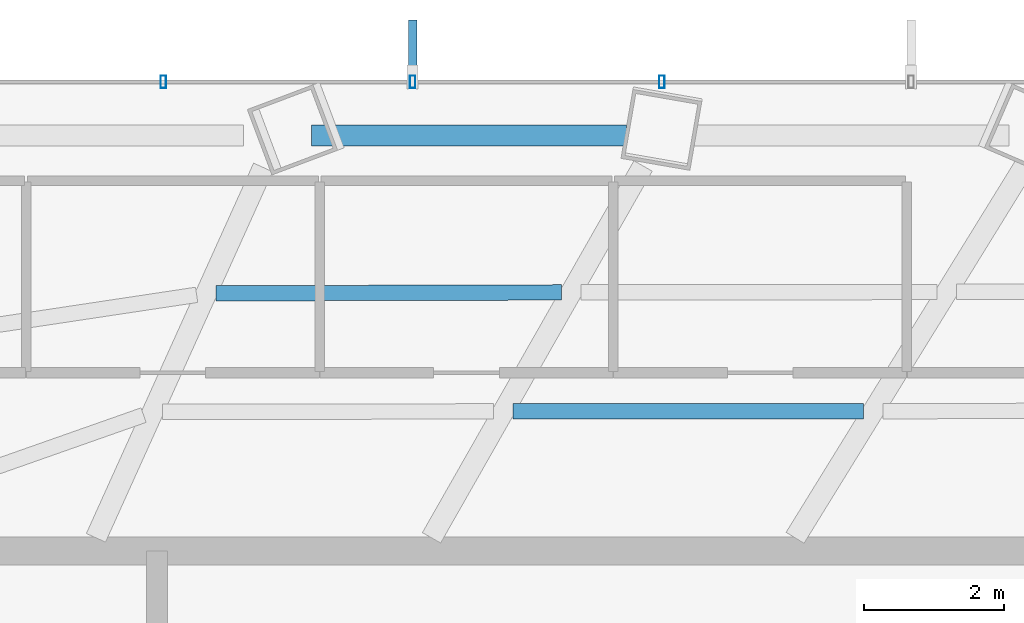
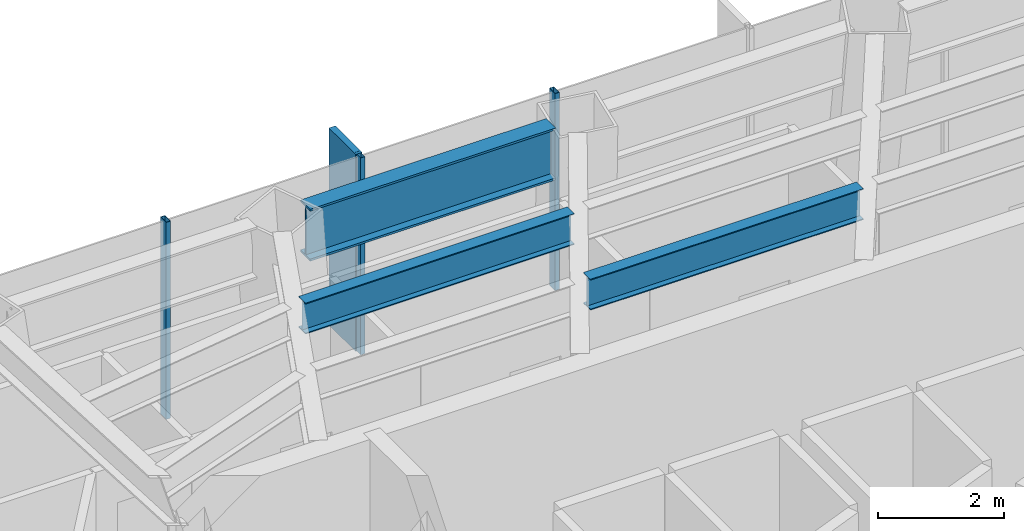
# One storey, part 14 of 26: 4 members, 3 beams, 1 element without a shape of its own.
"""IFC4 building model written with IfcOpenShell, lengths in metres."""

import ifcopenshell
import ifcopenshell.guid

model = None  # the IFC model being written
_history = None  # IfcOwnerHistory: only IFC2X3 demands one
_inside = {}  # id of a spatial element -> (the spatial element, [elements in it])
_under = {}  # id of a project, library or spatial element -> (it, [spatial elements below it])
_declared = {}  # id of a project -> (the project, [libraries it declares])
_typed = {}  # id of a type object -> (the type object, [elements of that type])
_made_of = {}  # id of a material, layer set ... -> (it, [elements and type objects made of it])


def new_model(schema):
    """Start an empty IFC model of exactly this schema.

    Asked for "IFC4X3", IfcOpenShell would pick the latest addendum, in which some entities
    have other attributes; the version numbers below select the first issue.
    IFC2X3 requires an IfcOwnerHistory on every rooted entity: one is made here for all.
    """
    global model, _history
    if schema == "IFC4X3":
        model = ifcopenshell.file(schema_version=(4, 3, 0, 0))
    else:
        model = ifcopenshell.file(schema=schema)
    _inside.clear()
    _under.clear()
    _declared.clear()
    _typed.clear()
    _made_of.clear()
    _history = None
    if model.schema == "IFC2X3":
        org = make("IfcOrganization", Name="unknown")
        user = make(
            "IfcPersonAndOrganization",
            ThePerson=make("IfcPerson", FamilyName="unknown"),
            TheOrganization=org,
        )
        app = make(
            "IfcApplication",
            ApplicationDeveloper=org,
            Version="unknown",
            ApplicationFullName="unknown",
            ApplicationIdentifier="unknown",
        )
        _history = make(
            "IfcOwnerHistory",
            OwningUser=user,
            OwningApplication=app,
            ChangeAction="ADDED",
            CreationDate=0,
        )
    return model


def make(cls, **values):
    """One entity of the class cls with the attributes given. An attribute that is None is left unset."""
    return model.create_entity(
        cls, **{name: value for name, value in values.items() if value is not None}
    )


def rooted(cls, **values):
    """An entity with a GlobalId (a new one), such as an element, a storey or a relation."""
    return make(cls, GlobalId=ifcopenshell.guid.new(), OwnerHistory=_history, **values)


def si_unit(unit_type, name, prefix=None):
    """IfcSIUnit, for example si_unit("LENGTHUNIT", "METRE", prefix="MILLI")."""
    return make("IfcSIUnit", UnitType=unit_type, Prefix=prefix, Name=name)


def assignment(units):
    """IfcUnitAssignment: the units of a project."""
    return None if units is None else make("IfcUnitAssignment", Units=units)


def point(xyz):
    """IfcCartesianPoint."""
    return None if xyz is None else make("IfcCartesianPoint", Coordinates=xyz)


def direction(xyz):
    """IfcDirection."""
    return None if xyz is None else make("IfcDirection", DirectionRatios=xyz)


def frame(location, z_axis=None, x_axis=None):
    """IfcAxis2Placement3D, a coordinate frame: its origin and axes. An axis left out is left unset."""
    return make(
        "IfcAxis2Placement3D",
        Location=point(location),
        Axis=direction(z_axis),
        RefDirection=direction(x_axis),
    )


def frame_2d(location, x_axis=None):
    """IfcAxis2Placement2D, a coordinate frame in the plane: its origin and x axis."""
    return make(
        "IfcAxis2Placement2D", Location=point(location), RefDirection=direction(x_axis)
    )


def origin():
    """The frame at (0, 0, 0) with its axes left unset."""
    return frame((0.0, 0.0, 0.0))


def origin_2d():
    """The frame at (0, 0) in the plane with its x axis left unset."""
    return frame_2d((0.0, 0.0))


def place(relative_to, where):
    """IfcLocalPlacement: puts the frame where relative to a parent placement (None: the world)."""
    return make(
        "IfcLocalPlacement", PlacementRelTo=relative_to, RelativePlacement=where
    )


def context(
    kind, dimensions, precision=None, world=None, true_north=None, identifier=None
):
    """IfcGeometricRepresentationContext, for example the 3D "Model" context."""
    return make(
        "IfcGeometricRepresentationContext",
        ContextIdentifier=identifier,
        ContextType=kind,
        CoordinateSpaceDimension=dimensions,
        Precision=precision,
        WorldCoordinateSystem=world,
        TrueNorth=true_north,
    )


def subcontext(parent, identifier, kind, view, scale=None):
    """IfcGeometricRepresentationSubContext, for example "Body" below "Model"."""
    return make(
        "IfcGeometricRepresentationSubContext",
        ContextIdentifier=identifier,
        ContextType=kind,
        ParentContext=parent,
        TargetScale=scale,
        TargetView=view,
    )


def project(units=None, contexts=None):
    """IfcProject with its units and contexts."""
    return rooted(
        "IfcProject",
        Name="project",
        RepresentationContexts=contexts,
        UnitsInContext=assignment(units),
    )


def spatial(cls, under=None, at=None, **own):
    """A site, building, storey or space (cls), placed at a placement, below another one or the project."""
    s = rooted(cls, ObjectPlacement=at, **own)
    if under is not None:
        _under.setdefault(under.id(), (under, []))[1].append(s)
    return s


def profile(cls, at=None, kind="AREA", **sizes):
    """A parametric profile (cls). Its sizes go by their IFC names, for example OverallWidth=200.0."""
    return make(cls, ProfileType=kind, Position=at, **sizes)


def rectangle(**sizes):
    """IfcRectangleProfileDef."""
    return profile("IfcRectangleProfileDef", **sizes)


def hollow_rectangle(**sizes):
    """IfcRectangleHollowProfileDef."""
    return profile("IfcRectangleHollowProfileDef", **sizes)


def i_section(**sizes):
    """IfcIShapeProfileDef."""
    return profile("IfcIShapeProfileDef", **sizes)


def extrude(swept, where, along, depth):
    """IfcExtrudedAreaSolid: the profile swept, set in the frame where, extruded along a direction by depth."""
    return make(
        "IfcExtrudedAreaSolid",
        SweptArea=swept,
        Position=where,
        ExtrudedDirection=direction(along),
        Depth=depth,
    )


def shape(context_of_items, identifier, shape_type, items):
    """IfcShapeRepresentation: the items that make up one representation, for example the "Body"."""
    return make(
        "IfcShapeRepresentation",
        ContextOfItems=context_of_items,
        RepresentationIdentifier=identifier,
        RepresentationType=shape_type,
        Items=items,
    )


def material(Name=None, Category=None):
    """IfcMaterial."""
    return make("IfcMaterial", Name=Name, Category=Category)


def layer(
    of_material, thickness, ventilated=None, Name=None, Category=None, Priority=None
):
    """IfcMaterialLayer: one layer of a wall or slab, of a material (None: an air gap)."""
    return make(
        "IfcMaterialLayer",
        Material=of_material,
        LayerThickness=thickness,
        IsVentilated=ventilated,
        Name=Name,
        Category=Category,
        Priority=Priority,
    )


def layer_set(layers, Name=None):
    """IfcMaterialLayerSet."""
    return make("IfcMaterialLayerSet", MaterialLayers=layers, LayerSetName=Name)


def material_profile(
    of_material, cross_section, Name=None, Category=None, Priority=None
):
    """IfcMaterialProfile: a cross section and its material."""
    return make(
        "IfcMaterialProfile",
        Name=Name,
        Material=of_material,
        Profile=cross_section,
        Priority=Priority,
        Category=Category,
    )


def profile_set(profiles, Name=None, composite=None):
    """IfcMaterialProfileSet."""
    return make(
        "IfcMaterialProfileSet",
        Name=Name,
        MaterialProfiles=profiles,
        CompositeProfile=composite,
    )


def made_of(thing, what):
    """Note that an element or type object is made of a material, layer set ...; save() writes the relation."""
    if what is not None:
        _made_of.setdefault(what.id(), (what, []))[1].append(thing)
    return thing


def type_object(cls, material=None, **own):
    """A type object (cls), such as IfcWallType, which elements share."""
    return made_of(rooted(cls, **own), material)


def element(
    cls,
    number,
    at=None,
    inside=None,
    cuts=None,
    type_object=None,
    material=None,
    context=None,
    identifier="Body",
    shape_type=None,
    held_by="IfcProductDefinitionShape",
    body=None,
    shapes=None,
    **own,
):
    """One element of the class cls, such as IfcWall. Its Tag is "e" and its number.

    at: its placement. inside: the storey or other place that contains it. cuts: it is an
    opening in that element (IfcRelVoidsElement). A single representation is given by context,
    identifier, shape_type and body (its items); several are given by shapes. held_by: the class
    of the entity that holds the representations. save() writes the other relations.
    """
    e = rooted(cls, Tag="e%d" % number, ObjectPlacement=at, **own)
    if body is not None:
        shapes = [shape(context, identifier, shape_type, body)]
    if shapes is not None:
        e.Representation = make(held_by, Representations=shapes)
    if inside is not None:
        _inside.setdefault(inside.id(), (inside, []))[1].append(e)
    if cuts is not None:
        rooted(
            "IfcRelVoidsElement", RelatingBuildingElement=cuts, RelatedOpeningElement=e
        )
    if type_object is not None:
        _typed.setdefault(type_object.id(), (type_object, []))[1].append(e)
    return made_of(e, material)


def aggregate(whole, parts):
    """IfcRelAggregates: a whole, such as a stair, and the parts it consists of."""
    return rooted("IfcRelAggregates", RelatingObject=whole, RelatedObjects=parts)


def save(model, path):
    """Write the relations noted so far, then the file.

    IfcRelAggregates (storeys below a building ...), IfcRelContainedInSpatialStructure (elements
    in a storey), IfcRelDefinesByType, IfcRelAssociatesMaterial and IfcRelDeclares: one each for
    every whole, place, type object, material and project.
    """
    for whole, parts in _under.values():
        aggregate(whole, parts)
    for where, things in _inside.values():
        rooted(
            "IfcRelContainedInSpatialStructure",
            RelatedElements=things,
            RelatingStructure=where,
        )
    for kind, things in _typed.values():
        rooted("IfcRelDefinesByType", RelatedObjects=things, RelatingType=kind)
    for what, things in _made_of.values():
        rooted("IfcRelAssociatesMaterial", RelatedObjects=things, RelatingMaterial=what)
    for by, libraries in _declared.values():
        rooted("IfcRelDeclares", RelatingContext=by, RelatedDefinitions=libraries)
    model.write(path)


model = new_model("IFC4")

# Units and contexts
model_context = context("Model", 3, precision=1e-05, world=origin(), true_north=direction((0.0, 1.0)))
body_context = subcontext(model_context, "Body", "Model", "MODEL_VIEW")
ifc_project = project(units=[si_unit("LENGTHUNIT", "METRE"), si_unit("AREAUNIT", "SQUARE_METRE"), si_unit("VOLUMEUNIT", "CUBIC_METRE"), si_unit("PLANEANGLEUNIT", "RADIAN"), si_unit("MASSUNIT", "GRAM", prefix="KILO")], contexts=[model_context])

# Site, building, storey
site_placement = place(None, origin())
site = spatial("IfcSite", under=ifc_project, at=site_placement, CompositionType="ELEMENT")
building_placement = place(site_placement, origin())
building = spatial("IfcBuilding", under=site, at=building_placement, Name="Zarrinselat Tower", CompositionType="ELEMENT")
storey_placement = place(building_placement, frame((0.0, 0.0, 35.699951171875)))
storey = spatial("IfcBuildingStorey", under=building, at=storey_placement, Name="L08", CompositionType="ELEMENT", Elevation=35.699951171875)

# Beams
ifc_material_1 = material(Name="Steel S460M", Category="steel")
ifc_material_profile_1 = material_profile(ifc_material_1, i_section(OverallWidth=0.302001953125, OverallDepth=1.008056640625, WebThickness=0.02099609375, FlangeThickness=0.0400390625, at=origin_2d()), Name="HEM 1000")
ifc_profile_set_1 = profile_set([ifc_material_profile_1], Name="Steel S460M")
beam_type_1 = type_object("IfcBeamType", Name="BM-HEM1000", PredefinedType="BEAM", material=ifc_profile_set_1)
beam_1_placement = place(storey_placement, frame((34.086181640625, 49.394287109375, 3.316162109375), z_axis=(1.0, 0.0, 0.0), x_axis=(0.0, 1.0, 0.0)))
element("IfcBeam", 1, at=beam_1_placement, inside=storey, type_object=beam_type_1, Name="L08 Perimeter Spandrel Girder SP03", PredefinedType="BEAM", context=body_context, shape_type="SweptSolid", body=[
    extrude(i_section(OverallWidth=0.302001953125, OverallDepth=1.008056640625, WebThickness=0.02099609375, FlangeThickness=0.0400390625, at=origin_2d()), origin(), (0.0, 0.0, 1.0), 4.5),
])
ifc_material_2 = material(Name="Steel S355J2", Category="steel")
ifc_material_profile_2 = material_profile(ifc_material_2, i_section(OverallWidth=0.219970703125, OverallDepth=0.60009765625, WebThickness=0.011962890625, FlangeThickness=0.01904296875, at=origin_2d()), Name="IPE 600")
ifc_profile_set_2 = profile_set([ifc_material_profile_2], Name="Steel S355J2")
beam_type_2 = type_object("IfcBeamType", Name="BM-IPE600", PredefinedType="JOIST", material=ifc_profile_set_2)
beam_2_placement = place(storey_placement, frame((36.96875, 45.4482421875, 3.52001953125), z_axis=(0.999999828941, 0.000584909239, 0.0), x_axis=(-0.000584909239, 0.999999828941, 0.0)))
element("IfcBeam", 2, at=beam_2_placement, inside=storey, type_object=beam_type_2, Name="L08 Composite Floor Joist 8-2", PredefinedType="JOIST", context=body_context, shape_type="SweptSolid", body=[
    extrude(i_section(OverallWidth=0.219970703125, OverallDepth=0.60009765625, WebThickness=0.011962890625, FlangeThickness=0.01904296875, at=origin_2d()), origin(), (0.0, 0.0, 1.0), 5.0087890625),
])
beam_3_placement = place(storey_placement, frame((32.718505859375, 47.13623046875, 3.52001953125), z_axis=(0.999996303531, 0.002718993311, 0.0), x_axis=(-0.002718993311, 0.999996303531, 0.0)))
element("IfcBeam", 3, at=beam_3_placement, inside=storey, type_object=beam_type_2, Name="L08 Composite Floor Joist 9-1", PredefinedType="JOIST", context=body_context, shape_type="SweptSolid", body=[
    extrude(i_section(OverallWidth=0.219970703125, OverallDepth=0.60009765625, WebThickness=0.011962890625, FlangeThickness=0.01904296875, at=origin_2d()), origin(), (0.0, 0.0, 1.0), 4.9384765625),
])

# Curtain wall, members
ifc_material_3 = material(Name="Extruded Aluminium Alloy EN AW-6063 T6", Category="aluminium")
ifc_layer = layer(ifc_material_3, 0.18505859375)
ifc_layer_set = layer_set([ifc_layer], Name="Extruded Aluminium Alloy EN AW-6063 T6")
curtain_wall_type = type_object("IfcCurtainWallType", Name="CWS-OFF", PredefinedType="NOTDEFINED", material=ifc_layer_set)
curtain_wall_placement = place(storey_placement, origin())
curtain_wall = element("IfcCurtainWall", 4, at=curtain_wall_placement, inside=storey, type_object=curtain_wall_type, Name="L08 Unitised Curtain Wall CW-L08-E01", PredefinedType="NOTDEFINED")
ifc_material_4 = material(Name="Extruded Aluminium Alloy EN AW-6063 T6", Category="aluminium")
ifc_material_profile_3 = material_profile(ifc_material_4, hollow_rectangle(XDim=0.080078125, YDim=0.179931640625, WallThickness=0.0048828125, at=origin_2d()), Name="RHS 180x80x5")
ifc_profile_set_3 = profile_set([ifc_material_profile_3], Name="Extruded Aluminium Alloy EN AW-6063 T6")
member_type_1 = type_object("IfcMemberType", Name="MEM-CW-MUL", PredefinedType="MULLION", material=ifc_profile_set_3)
member_1_placement = place(storey_placement, frame((39.094482421875, 50.1611328125, 0.0), z_axis=(0.0, 0.0, 1.0), x_axis=(-1.0, 0.0, 0.0)))
member_1 = element("IfcMember", 5, at=member_1_placement, type_object=member_type_1, Name="CW-L08-E01 Mullion 4", PredefinedType="MULLION", context=body_context, shape_type="SweptSolid", body=[
    extrude(hollow_rectangle(XDim=0.080078125, YDim=0.179931640625, WallThickness=0.0048828125, at=origin_2d()), origin(), (0.0, 0.0, 1.0), 3.820068359375),
])
member_2_placement = place(storey_placement, frame((35.529296875, 50.1611328125, 0.0), z_axis=(0.0, 0.0, 1.0), x_axis=(-1.0, 0.0, 0.0)))
member_2 = element("IfcMember", 6, at=member_2_placement, type_object=member_type_1, Name="CW-L08-E01 Mullion 5", PredefinedType="MULLION", context=body_context, shape_type="SweptSolid", body=[
    extrude(hollow_rectangle(XDim=0.080078125, YDim=0.179931640625, WallThickness=0.0048828125, at=origin_2d()), origin(), (0.0, 0.0, 1.0), 3.820068359375),
])
member_3_placement = place(storey_placement, frame((31.96435546875, 50.1611328125, 0.0), z_axis=(0.0, 0.0, 1.0), x_axis=(-1.0, 0.0, 0.0)))
member_3 = element("IfcMember", 7, at=member_3_placement, type_object=member_type_1, Name="CW-L08-E01 Mullion 6", PredefinedType="MULLION", context=body_context, shape_type="SweptSolid", body=[
    extrude(hollow_rectangle(XDim=0.080078125, YDim=0.179931640625, WallThickness=0.0048828125, at=origin_2d()), origin(), (0.0, 0.0, 1.0), 3.820068359375),
])
ifc_material_5 = material(Name="Honed Cream Travertine Stone", Category="masonry")
ifc_material_profile_4 = material_profile(ifc_material_5, rectangle(XDim=0.1201171875, YDim=0.85009765625, at=origin_2d()), Name="FIN 850x120")
ifc_profile_set_4 = profile_set([ifc_material_profile_4], Name="Honed Cream Travertine Stone")
member_type_2 = type_object("IfcMemberType", Name="MEM-STONE-FIN", PredefinedType="USERDEFINED", material=ifc_profile_set_4)
member_4_placement = place(storey_placement, frame((35.529296875, 50.62109375, 0.0), z_axis=(0.0, 0.0, 1.0), x_axis=(1.0, 0.0, 0.0)))
member_4 = element("IfcMember", 8, at=member_4_placement, type_object=member_type_2, Name="L08 Stone Shading Fin CW-L08-E01-05", ObjectType="FIN", PredefinedType="USERDEFINED", context=body_context, shape_type="SweptSolid", body=[
    extrude(rectangle(XDim=0.1201171875, YDim=0.85009765625, at=origin_2d()), origin(), (0.0, 0.0, 1.0), 3.820068359375),
])
aggregate(curtain_wall, [member_1, member_2, member_4, member_3])

save(model, "model.ifc")
